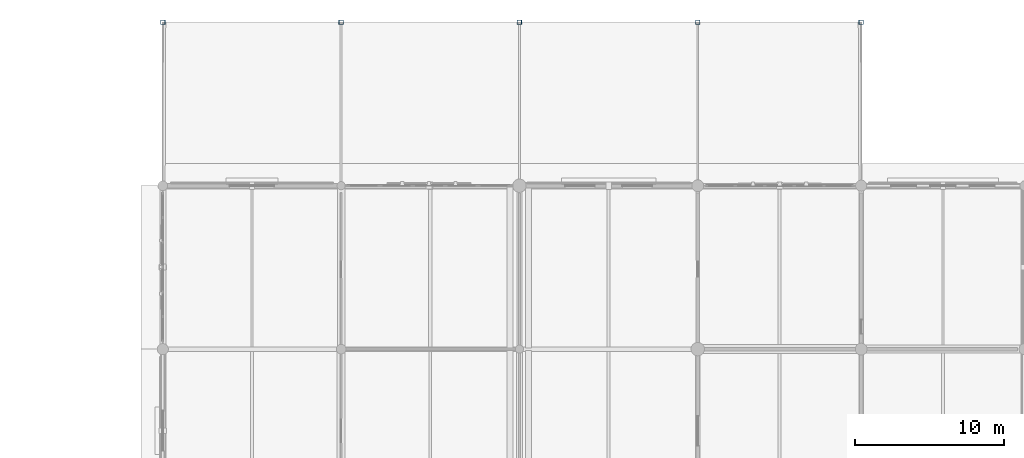
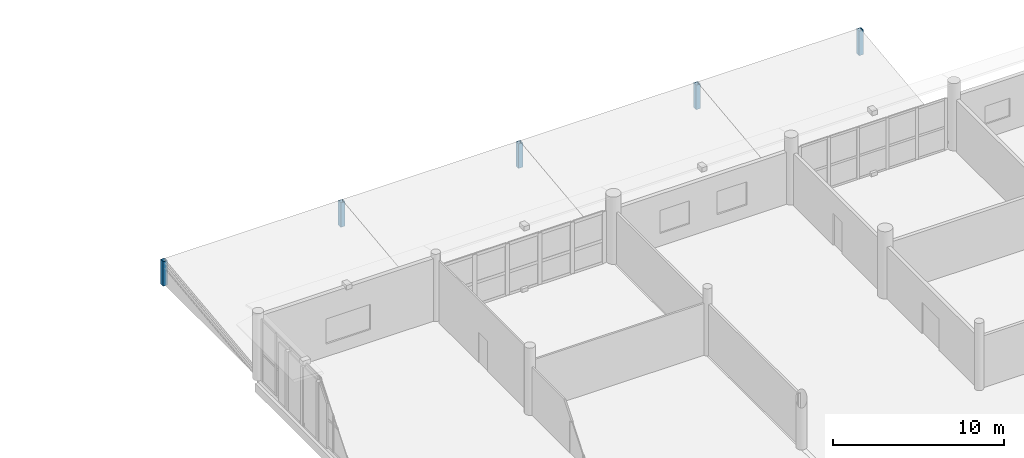
# One storey, part 21 of 143: 5 columns.
"""IFC4 building model written with IfcOpenShell, lengths in metres."""

from ifc_helpers import new_model, si_unit, direction, frame, origin, origin_2d, place, context, subcontext, project, spatial, hollow_rectangle, extrude, material, material_profile, profile_set, type_object, element, save


model = new_model("IFC4")

# Units and contexts
model_context = context("Model", 3, precision=1e-05, world=origin(), true_north=direction((0.0, 1.0)))
body_context = subcontext(model_context, "Body", "Model", "MODEL_VIEW")
ifc_project = project(units=[si_unit("LENGTHUNIT", "METRE"), si_unit("AREAUNIT", "SQUARE_METRE"), si_unit("VOLUMEUNIT", "CUBIC_METRE"), si_unit("PLANEANGLEUNIT", "RADIAN"), si_unit("MASSUNIT", "GRAM", prefix="KILO")], contexts=[model_context])

# Site, building, storey
site_placement = place(None, origin())
site = spatial("IfcSite", under=ifc_project, at=site_placement, CompositionType="ELEMENT")
building_placement = place(site_placement, origin())
building = spatial("IfcBuilding", under=site, at=building_placement, Name="Luwafu Chhajja Arena", CompositionType="ELEMENT")
storey_placement = place(building_placement, frame((0.0, 0.0, 5.39990234375)))
storey = spatial("IfcBuildingStorey", under=building, at=storey_placement, Name="L01", CompositionType="ELEMENT", Elevation=5.39990234375)

# Columns
ifc_material = material(Name="Steel S355", Category="steel")
ifc_material_profile = material_profile(ifc_material, hollow_rectangle(XDim=0.300048828125, YDim=0.300048828125, WallThickness=0.01611328125, at=origin_2d()), Name="SHS 300x300x16")
ifc_profile_set = profile_set([ifc_material_profile], Name="Steel S355")
column_type = type_object("IfcColumnType", Name="Steel Gallery Post SHS 300", PredefinedType="COLUMN", material=ifc_profile_set)
for number, where, z_axis, x_axis, name in (
    (1, (140.0, 132.0, 0.0), (0.0, 0.0, 1.0), (1.0, 0.0, 0.0), "L01 Cloister Ridge Post 12"),
    (2, (152.0, 132.0, 0.0), (0.0, 0.0, 1.0), (1.0, 0.0, 0.0), "L01 Cloister Ridge Post 13"),
    (3, (164.0, 132.0, 0.0), (0.0, 0.0, 1.0), (1.0, 0.0, 0.0), "L01 Cloister Ridge Post 14"),
    (4, (176.0, 132.0, 0.0), (0.0, 0.0, 1.0), (1.0, 0.0, 0.0), "L01 Cloister Ridge Post 15"),
    (5, (187.0, 132.0, 0.0), (0.0, 0.0, 1.0), (1.0, 0.0, 0.0), "L01 Cloister Ridge Post 16"),
):
    element("IfcColumn", number, at=place(storey_placement, frame(where, z_axis=z_axis, x_axis=x_axis)), inside=storey, type_object=column_type, Name=name, PredefinedType="COLUMN", context=body_context, shape_type="SweptSolid", body=[
        extrude(hollow_rectangle(XDim=0.300048828125, YDim=0.300048828125, WallThickness=0.01611328125, at=origin_2d()), origin(), (0.0, 0.0, 1.0), 1.75),
    ])

save(model, "model.ifc")
